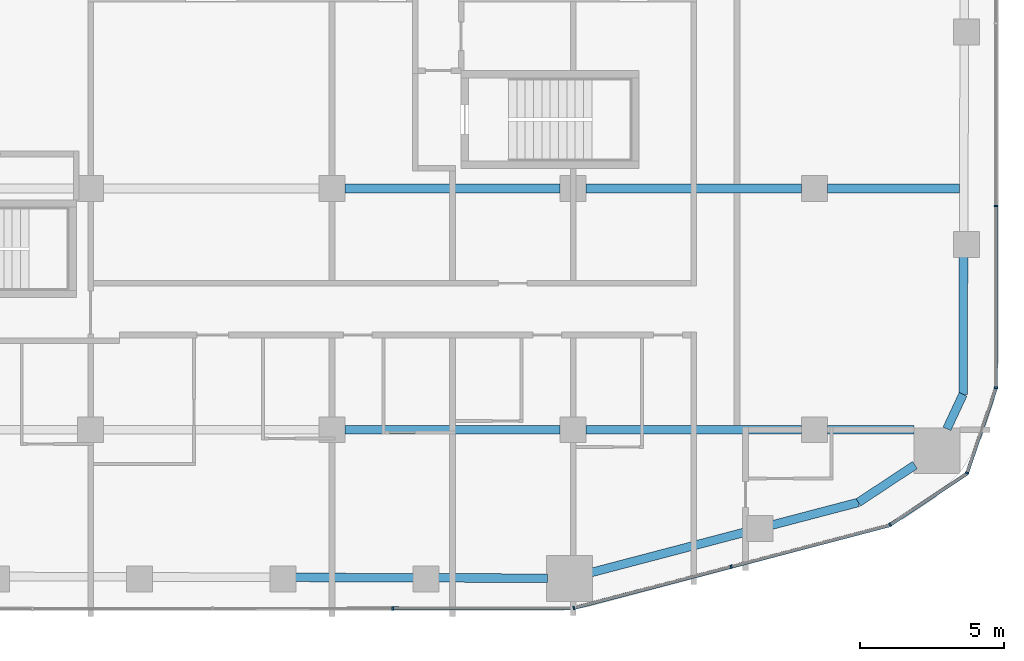
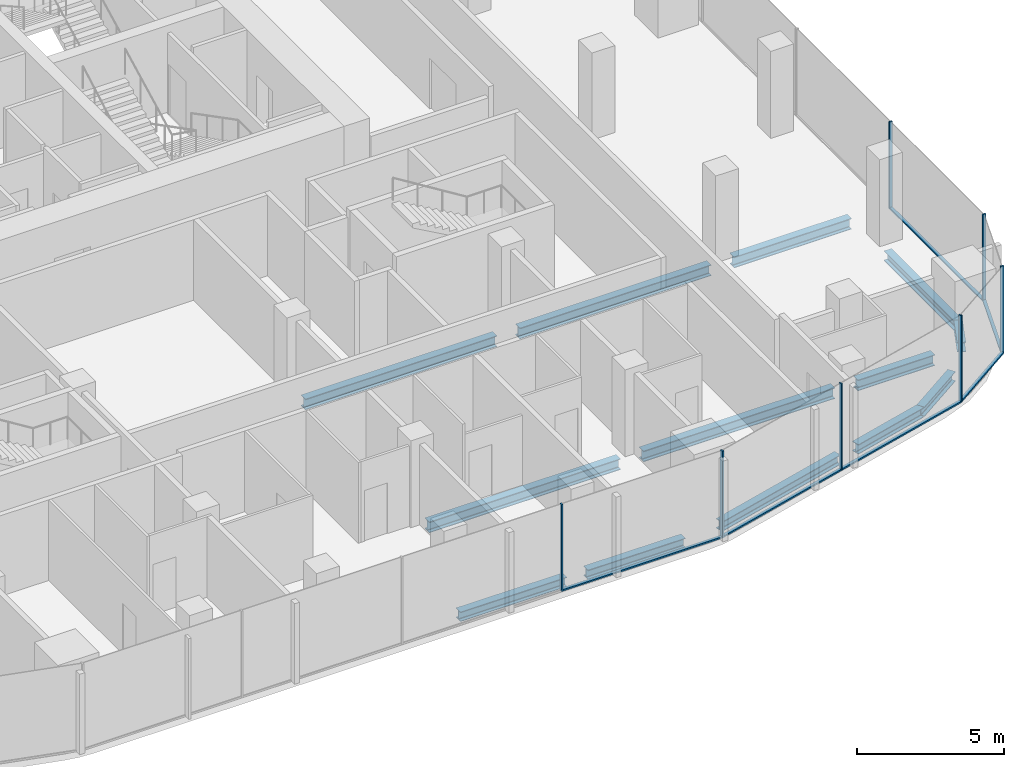
# One storey, part 6 of 21: 13 beams, 13 members, 5 elements without a shape of their own.
"""IFC4 building model written with IfcOpenShell, lengths in metres."""

from ifc_helpers import new_model, si_unit, direction, frame, origin, origin_2d, place, context, subcontext, project, spatial, rectangle, i_section, extrude, material, layer, layer_set, material_profile, profile_set, type_object, element, aggregate, save


model = new_model("IFC4")

# Units and contexts
model_context = context("Model", 3, precision=1e-05, world=origin(), true_north=direction((0.0, 1.0)))
body_context = subcontext(model_context, "Body", "Model", "MODEL_VIEW")
ifc_project = project(units=[si_unit("LENGTHUNIT", "METRE"), si_unit("AREAUNIT", "SQUARE_METRE"), si_unit("VOLUMEUNIT", "CUBIC_METRE"), si_unit("PLANEANGLEUNIT", "RADIAN"), si_unit("MASSUNIT", "GRAM", prefix="KILO")], contexts=[model_context])

# Site, building, storey
site_placement = place(None, origin())
site = spatial("IfcSite", under=ifc_project, at=site_placement, CompositionType="ELEMENT")
building_placement = place(site_placement, origin())
building = spatial("IfcBuilding", under=site, at=building_placement, Name="Marenta Gate Hotel Tower", CompositionType="ELEMENT")
storey_placement = place(building_placement, frame((0.0, 0.0, 133.699951171875)))
storey = spatial("IfcBuildingStorey", under=building, at=storey_placement, Name="L30", CompositionType="ELEMENT", Elevation=133.699951171875)

# Beams
ifc_material_1 = material(Name="Steel S355", Category="steel")
ifc_material_profile_1 = material_profile(ifc_material_1, i_section(OverallWidth=0.300048828125, OverallDepth=0.39990234375, WebThickness=0.013427734375, FlangeThickness=0.02392578125, FilletRadius=0.027099609375, at=origin_2d()), Name="HEB 400")
ifc_profile_set_1 = profile_set([ifc_material_profile_1], Name="Steel S355")
beam_type_1 = type_object("IfcBeamType", Name="Edge beam HEB 400", PredefinedType="SPANDREL", material=ifc_profile_set_1)
beam_1_placement = place(storey_placement, frame((26.191162109375, -10.761962890625, -0.4599609375), z_axis=(-0.003353298899, -0.999994377677, 0.0), x_axis=(0.999994377677, -0.003353298899, 0.0)))
element("IfcBeam", 1, at=beam_1_placement, inside=storey, type_object=beam_type_1, Name="L30-EB-27", PredefinedType="SPANDREL", context=body_context, shape_type="SweptSolid", body=[
    extrude(i_section(OverallWidth=0.300048828125, OverallDepth=0.39990234375, WebThickness=0.013427734375, FlangeThickness=0.02392578125, FilletRadius=0.027099609375, at=origin_2d()), origin(), (0.0, 0.0, 1.0), 4.80517578125),
])
beam_2_placement = place(storey_placement, frame((26.175048828125, -15.567138671875, -0.4599609375), z_axis=(-0.423207780269, -0.906032656541, 0.0), x_axis=(0.906032656541, -0.423207780269, 0.0)))
element("IfcBeam", 2, at=beam_2_placement, inside=storey, type_object=beam_type_1, Name="L30-EB-28", PredefinedType="SPANDREL", context=body_context, shape_type="SweptSolid", body=[
    extrude(i_section(OverallWidth=0.300048828125, OverallDepth=0.39990234375, WebThickness=0.013427734375, FlangeThickness=0.02392578125, FilletRadius=0.027099609375, at=origin_2d()), origin(), (0.0, 0.0, 1.0), 1.326904296875),
])
beam_3_placement = place(storey_placement, frame((24.496337890625, -18.0322265625, -0.4599609375), z_axis=(-0.834496060599, -0.551013906217, 0.0), x_axis=(0.551013906217, -0.834496060599, 0.0)))
element("IfcBeam", 3, at=beam_3_placement, inside=storey, type_object=beam_type_1, Name="L30-EB-29", PredefinedType="SPANDREL", context=body_context, shape_type="SweptSolid", body=[
    extrude(i_section(OverallWidth=0.300048828125, OverallDepth=0.39990234375, WebThickness=0.013427734375, FlangeThickness=0.02392578125, FilletRadius=0.027099609375, at=origin_2d()), origin(), (0.0, 0.0, 1.0), 2.357177734375),
])
beam_4_placement = place(storey_placement, frame((22.529296875, -19.3310546875, -0.4599609375), z_axis=(-0.967224706208, -0.25392197168, 0.0), x_axis=(0.25392197168, -0.967224706208, 0.0)))
element("IfcBeam", 4, at=beam_4_placement, inside=storey, type_object=beam_type_1, Name="L30-EB-30", PredefinedType="SPANDREL", context=body_context, shape_type="SweptSolid", body=[
    extrude(i_section(OverallWidth=0.300048828125, OverallDepth=0.39990234375, WebThickness=0.013427734375, FlangeThickness=0.02392578125, FilletRadius=0.027099609375, at=origin_2d()), origin(), (0.0, 0.0, 1.0), 3.11328125),
])
beam_5_placement = place(storey_placement, frame((18.695556640625, -20.33740234375, -0.4599609375), z_axis=(-0.96723321901, -0.253889542999, 0.0), x_axis=(0.253889542999, -0.96723321901, 0.0)))
element("IfcBeam", 5, at=beam_5_placement, inside=storey, type_object=beam_type_1, Name="L30-EB-31", PredefinedType="SPANDREL", context=body_context, shape_type="SweptSolid", body=[
    extrude(i_section(OverallWidth=0.300048828125, OverallDepth=0.39990234375, WebThickness=0.013427734375, FlangeThickness=0.02392578125, FilletRadius=0.027099609375, at=origin_2d()), origin(), (0.0, 0.0, 1.0), 5.6533203125),
])
beam_6_placement = place(storey_placement, frame((11.706298828125, -21.97021484375, -0.4599609375), z_axis=(-0.999994883969, 0.003198755307, 0.0), x_axis=(-0.003198755307, -0.999994883969, 0.0)))
element("IfcBeam", 6, at=beam_6_placement, inside=storey, type_object=beam_type_1, Name="L30-EB-32", PredefinedType="SPANDREL", context=body_context, shape_type="SweptSolid", body=[
    extrude(i_section(OverallWidth=0.300048828125, OverallDepth=0.39990234375, WebThickness=0.013427734375, FlangeThickness=0.02392578125, FilletRadius=0.027099609375, at=origin_2d()), origin(), (0.0, 0.0, 1.0), 3.816162109375),
])
beam_7_placement = place(storey_placement, frame((7.070068359375, -21.955322265625, -0.4599609375), z_axis=(-0.999994807487, 0.003222576575, 0.0), x_axis=(-0.003222576575, -0.999994807487, 0.0)))
element("IfcBeam", 7, at=beam_7_placement, inside=storey, type_object=beam_type_1, Name="L30-EB-33", PredefinedType="SPANDREL", context=body_context, shape_type="SweptSolid", body=[
    extrude(i_section(OverallWidth=0.300048828125, OverallDepth=0.39990234375, WebThickness=0.013427734375, FlangeThickness=0.02392578125, FilletRadius=0.027099609375, at=origin_2d()), origin(), (0.0, 0.0, 1.0), 4.166748046875),
])
ifc_material_2 = material(Name="Steel S355", Category="steel")
ifc_material_profile_2 = material_profile(ifc_material_2, i_section(OverallWidth=0.300048828125, OverallDepth=0.449951171875, WebThickness=0.013916015625, FlangeThickness=0.02587890625, FilletRadius=0.027099609375, at=origin_2d()), Name="HEB 450")
ifc_profile_set_2 = profile_set([ifc_material_profile_2], Name="Steel S355")
beam_type_2 = type_object("IfcBeamType", Name="Girder HEB 450", PredefinedType="BEAM", material=ifc_profile_set_2)
for number, where, z_axis, x_axis, name in (
    (8, (4.64990234375, -16.800048828125, -0.48486328125), (1.0, 0.0, 0.0), (0.0, 1.0, 0.0), "L30-GD-5"),
    (9, (13.050048828125, -16.800048828125, -0.48486328125), (1.0, 0.0, 0.0), (0.0, 1.0, 0.0), "L30-GD-6"),
):
    element("IfcBeam", number, at=place(storey_placement, frame(where, z_axis=z_axis, x_axis=x_axis)), inside=storey, type_object=beam_type_2, Name=name, PredefinedType="BEAM", context=body_context, shape_type="SweptSolid", body=[
        extrude(i_section(OverallWidth=0.300048828125, OverallDepth=0.449951171875, WebThickness=0.013916015625, FlangeThickness=0.02587890625, FilletRadius=0.027099609375, at=origin_2d()), origin(), (0.0, 0.0, 1.0), 7.5),
    ])
beam_8_placement = place(storey_placement, frame((21.449951171875, -16.800048828125, -0.48486328125), z_axis=(1.0, 0.0, 0.0), x_axis=(0.0, 1.0, 0.0)))
element("IfcBeam", 10, at=beam_8_placement, inside=storey, type_object=beam_type_2, Name="L30-GD-7", PredefinedType="BEAM", context=body_context, shape_type="SweptSolid", body=[
    extrude(i_section(OverallWidth=0.300048828125, OverallDepth=0.449951171875, WebThickness=0.013916015625, FlangeThickness=0.02587890625, FilletRadius=0.027099609375, at=origin_2d()), origin(), (0.0, 0.0, 1.0), 3.012939453125),
])
for number, where, z_axis, x_axis, name in (
    (11, (4.64990234375, -8.39990234375, -0.48486328125), (1.0, 0.0, 0.0), (0.0, 1.0, 0.0), "L30-GD-12"),
    (12, (13.050048828125, -8.39990234375, -0.48486328125), (1.0, 0.0, 0.0), (0.0, 1.0, 0.0), "L30-GD-13"),
):
    element("IfcBeam", number, at=place(storey_placement, frame(where, z_axis=z_axis, x_axis=x_axis)), inside=storey, type_object=beam_type_2, Name=name, PredefinedType="BEAM", context=body_context, shape_type="SweptSolid", body=[
        extrude(i_section(OverallWidth=0.300048828125, OverallDepth=0.449951171875, WebThickness=0.013916015625, FlangeThickness=0.02587890625, FilletRadius=0.027099609375, at=origin_2d()), origin(), (0.0, 0.0, 1.0), 7.5),
    ])
beam_9_placement = place(storey_placement, frame((21.449951171875, -8.39990234375, -0.48486328125), z_axis=(1.0, 0.0, 0.0), x_axis=(0.0, 1.0, 0.0)))
element("IfcBeam", 13, at=beam_9_placement, inside=storey, type_object=beam_type_2, Name="L30-GD-14", PredefinedType="BEAM", context=body_context, shape_type="SweptSolid", body=[
    extrude(i_section(OverallWidth=0.300048828125, OverallDepth=0.449951171875, WebThickness=0.013916015625, FlangeThickness=0.02587890625, FilletRadius=0.027099609375, at=origin_2d()), origin(), (0.0, 0.0, 1.0), 4.59912109375),
])

# Curtain wall, member
ifc_material_3 = material(Name="Tinted insulated glass in bronze anodised frame", Category="glass")
ifc_layer = layer(ifc_material_3, 0.1201171875)
ifc_layer_set = layer_set([ifc_layer], Name="Tinted insulated glass in bronze anodised frame")
curtain_wall_type = type_object("IfcCurtainWallType", Name="Tower unitised curtain wall CW1", PredefinedType="NOTDEFINED", material=ifc_layer_set)
curtain_wall_1_placement = place(storey_placement, origin())
curtain_wall_1 = element("IfcCurtainWall", 14, at=curtain_wall_1_placement, inside=storey, type_object=curtain_wall_type, Name="CW1 run G07", PredefinedType="NOTDEFINED")
ifc_material_4 = material(Name="Bronze anodised aluminium", Category="aluminium")
ifc_material_profile_3 = material_profile(ifc_material_4, rectangle(XDim=0.1201171875, YDim=0.06005859375, at=origin_2d()), Name="Mullion CW1 60x120 bronze anodised aluminium")
ifc_profile_set_3 = profile_set([ifc_material_profile_3], Name="Bronze anodised aluminium")
member_type_1 = type_object("IfcMemberType", Name="Mullion CW1 60x120 bronze anodised aluminium", PredefinedType="MULLION", material=ifc_profile_set_3)
member_1_placement = place(storey_placement, frame((6.32177734375, -23.021728515625, 0.0), z_axis=(0.0, 0.0, 1.0), x_axis=(-0.001362347707, 0.999999072004, 0.0)))
member_1 = element("IfcMember", 15, at=member_1_placement, type_object=member_type_1, Name="CW1 mullion 4", PredefinedType="MULLION", context=body_context, shape_type="SweptSolid", body=[
    extrude(rectangle(XDim=0.1201171875, YDim=0.06005859375, at=origin_2d()), origin(), (0.0, 0.0, 1.0), 3.60009765625),
])

# Curtain wall, members
curtain_wall_2_placement = place(storey_placement, origin())
curtain_wall_2 = element("IfcCurtainWall", 16, at=curtain_wall_2_placement, inside=storey, type_object=curtain_wall_type, Name="CW1 run G08", PredefinedType="NOTDEFINED")
member_2_placement = place(storey_placement, frame((12.626708984375, -23.005615234375, 0.0), z_axis=(0.0, 0.0, 1.0), x_axis=(-0.253374270473, 0.967368326473, 0.0)))
member_2 = element("IfcMember", 17, at=member_2_placement, type_object=member_type_1, Name="CW1 mullion 1", PredefinedType="MULLION", context=body_context, shape_type="SweptSolid", body=[
    extrude(rectangle(XDim=0.1201171875, YDim=0.06005859375, at=origin_2d()), origin(), (0.0, 0.0, 1.0), 3.60009765625),
])
member_3_placement = place(storey_placement, frame((18.102783203125, -21.571533203125, 0.0), z_axis=(0.0, 0.0, 1.0), x_axis=(-0.253374270473, 0.967368326473, 0.0)))
member_3 = element("IfcMember", 18, at=member_3_placement, type_object=member_type_1, Name="CW1 mullion 2", PredefinedType="MULLION", context=body_context, shape_type="SweptSolid", body=[
    extrude(rectangle(XDim=0.1201171875, YDim=0.06005859375, at=origin_2d()), origin(), (0.0, 0.0, 1.0), 3.60009765625),
])

# Curtain wall, member
curtain_wall_3_placement = place(storey_placement, origin())
curtain_wall_3 = element("IfcCurtainWall", 19, at=curtain_wall_3_placement, inside=storey, type_object=curtain_wall_type, Name="CW1 run G09", PredefinedType="NOTDEFINED")
member_4_placement = place(storey_placement, frame((23.632568359375, -20.113037109375, 0.0), z_axis=(0.0, 0.0, 1.0), x_axis=(-0.554016243423, 0.832505857051, 0.0)))
member_4 = element("IfcMember", 20, at=member_4_placement, type_object=member_type_1, Name="CW1 mullion 1", PredefinedType="MULLION", context=body_context, shape_type="SweptSolid", body=[
    extrude(rectangle(XDim=0.1201171875, YDim=0.06005859375, at=origin_2d()), origin(), (0.0, 0.0, 1.0), 3.60009765625),
])

curtain_wall_4_placement = place(storey_placement, origin())
curtain_wall_4 = element("IfcCurtainWall", 21, at=curtain_wall_4_placement, inside=storey, type_object=curtain_wall_type, Name="CW1 run G10", PredefinedType="NOTDEFINED")
member_5_placement = place(storey_placement, frame((26.314453125, -18.30615234375, 0.0), z_axis=(0.0, 0.0, 1.0), x_axis=(-0.946728385013, 0.322033173773, 0.0)))
member_5 = element("IfcMember", 22, at=member_5_placement, type_object=member_type_1, Name="CW1 mullion 1", PredefinedType="MULLION", context=body_context, shape_type="SweptSolid", body=[
    extrude(rectangle(XDim=0.1201171875, YDim=0.06005859375, at=origin_2d()), origin(), (0.0, 0.0, 1.0), 3.60009765625),
])

# Curtain wall, members
curtain_wall_5_placement = place(storey_placement, origin())
curtain_wall_5 = element("IfcCurtainWall", 23, at=curtain_wall_5_placement, inside=storey, type_object=curtain_wall_type, Name="CW1 run G11", PredefinedType="NOTDEFINED")
member_6_placement = place(storey_placement, frame((27.31396484375, -15.337890625, 0.0), z_axis=(0.0, 0.0, 1.0), x_axis=(-1.0, 0.0, 0.0)))
member_6 = element("IfcMember", 24, at=member_6_placement, type_object=member_type_1, Name="CW1 mullion 1", PredefinedType="MULLION", context=body_context, shape_type="SweptSolid", body=[
    extrude(rectangle(XDim=0.1201171875, YDim=0.06005859375, at=origin_2d()), origin(), (0.0, 0.0, 1.0), 3.60009765625),
])
member_7_placement = place(storey_placement, frame((27.31396484375, -9.008056640625, 0.0), z_axis=(0.0, 0.0, 1.0), x_axis=(-1.0, 0.0, 0.0)))
member_7 = element("IfcMember", 25, at=member_7_placement, type_object=member_type_1, Name="CW1 mullion 2", PredefinedType="MULLION", context=body_context, shape_type="SweptSolid", body=[
    extrude(rectangle(XDim=0.1201171875, YDim=0.06005859375, at=origin_2d()), origin(), (0.0, 0.0, 1.0), 3.60009765625),
])

# Member
ifc_material_5 = material(Name="Bronze anodised aluminium", Category="aluminium")
ifc_material_profile_4 = material_profile(ifc_material_5, rectangle(XDim=0.1201171875, YDim=0.06005859375, at=origin_2d()), Name="Transom CW1 60x120 bronze anodised aluminium")
ifc_profile_set_4 = profile_set([ifc_material_profile_4], Name="Bronze anodised aluminium")
member_type_2 = type_object("IfcMemberType", Name="Transom CW1 60x120 bronze anodised aluminium", PredefinedType="USERDEFINED", material=ifc_profile_set_4)
member_8_placement = place(storey_placement, frame((6.351806640625, -23.021728515625, 0.030029296875), z_axis=(0.999999064231, 0.001368041246, 0.0), x_axis=(-0.001368041246, 0.999999064231, 0.0)))
member_8 = element("IfcMember", 26, at=member_8_placement, type_object=member_type_2, Name="CW1 transom 4.1", ObjectType="TRANSOM", PredefinedType="USERDEFINED", context=body_context, shape_type="SweptSolid", body=[
    extrude(rectangle(XDim=0.1201171875, YDim=0.06005859375, at=origin_2d()), origin(), (0.0, 0.0, 1.0), 6.24609375),
])

aggregate(curtain_wall_1, [member_1, member_8])

member_9_placement = place(storey_placement, frame((12.65576171875, -22.998046875, 0.030029296875), z_axis=(0.967374258372, 0.25335162174, 0.0), x_axis=(-0.25335162174, 0.967374258372, 0.0)))
member_9 = element("IfcMember", 27, at=member_9_placement, type_object=member_type_2, Name="CW1 transom 1.1", ObjectType="TRANSOM", PredefinedType="USERDEFINED", context=body_context, shape_type="SweptSolid", body=[
    extrude(rectangle(XDim=0.1201171875, YDim=0.06005859375, at=origin_2d()), origin(), (0.0, 0.0, 1.0), 5.6005859375),
])

member_10_placement = place(storey_placement, frame((18.1318359375, -21.56396484375, 0.030029296875), z_axis=(0.967364420611, 0.253389182357, 0.0), x_axis=(-0.253389182357, 0.967364420611, 0.0)))
member_10 = element("IfcMember", 28, at=member_10_placement, type_object=member_type_2, Name="CW1 transom 2.1", ObjectType="TRANSOM", PredefinedType="USERDEFINED", context=body_context, shape_type="SweptSolid", body=[
    extrude(rectangle(XDim=0.1201171875, YDim=0.06005859375, at=origin_2d()), origin(), (0.0, 0.0, 1.0), 5.66064453125),
])

aggregate(curtain_wall_2, [member_2, member_3, member_9, member_10])

member_11_placement = place(storey_placement, frame((23.657470703125, -20.096435546875, 0.030029296875), z_axis=(0.832522439521, 0.553991324565, 0.0), x_axis=(-0.553991324565, 0.832522439521, 0.0)))
member_11 = element("IfcMember", 29, at=member_11_placement, type_object=member_type_2, Name="CW1 transom 1.1", ObjectType="TRANSOM", PredefinedType="USERDEFINED", context=body_context, shape_type="SweptSolid", body=[
    extrude(rectangle(XDim=0.1201171875, YDim=0.06005859375, at=origin_2d()), origin(), (0.0, 0.0, 1.0), 3.179931640625),
])

aggregate(curtain_wall_3, [member_4, member_11])

member_12_placement = place(storey_placement, frame((26.32421875, -18.27783203125, 0.030029296875), z_axis=(0.322012379162, 0.946735458123, 0.0), x_axis=(-0.946735458123, 0.322012379162, 0.0)))
member_12 = element("IfcMember", 30, at=member_12_placement, type_object=member_type_2, Name="CW1 transom 1.1", ObjectType="TRANSOM", PredefinedType="USERDEFINED", context=body_context, shape_type="SweptSolid", body=[
    extrude(rectangle(XDim=0.1201171875, YDim=0.06005859375, at=origin_2d()), origin(), (0.0, 0.0, 1.0), 3.07373046875),
])

aggregate(curtain_wall_4, [member_5, member_12])

member_13_placement = place(storey_placement, frame((27.31396484375, -15.30810546875, 0.030029296875), z_axis=(0.0, 1.0, 0.0), x_axis=(-1.0, 0.0, 0.0)))
member_13 = element("IfcMember", 31, at=member_13_placement, type_object=member_type_2, Name="CW1 transom 1.1", ObjectType="TRANSOM", PredefinedType="USERDEFINED", context=body_context, shape_type="SweptSolid", body=[
    extrude(rectangle(XDim=0.1201171875, YDim=0.06005859375, at=origin_2d()), origin(), (0.0, 0.0, 1.0), 6.27001953125),
])

aggregate(curtain_wall_5, [member_6, member_7, member_13])

save(model, "model.ifc")
